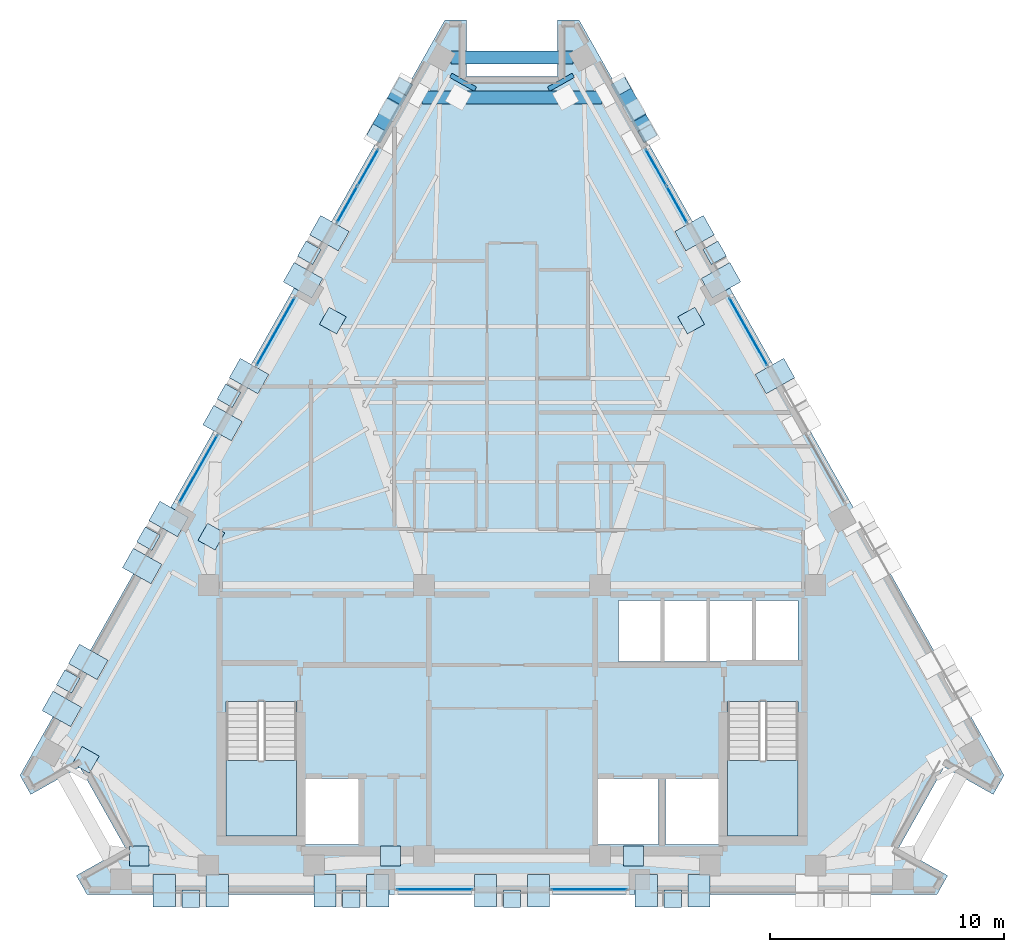
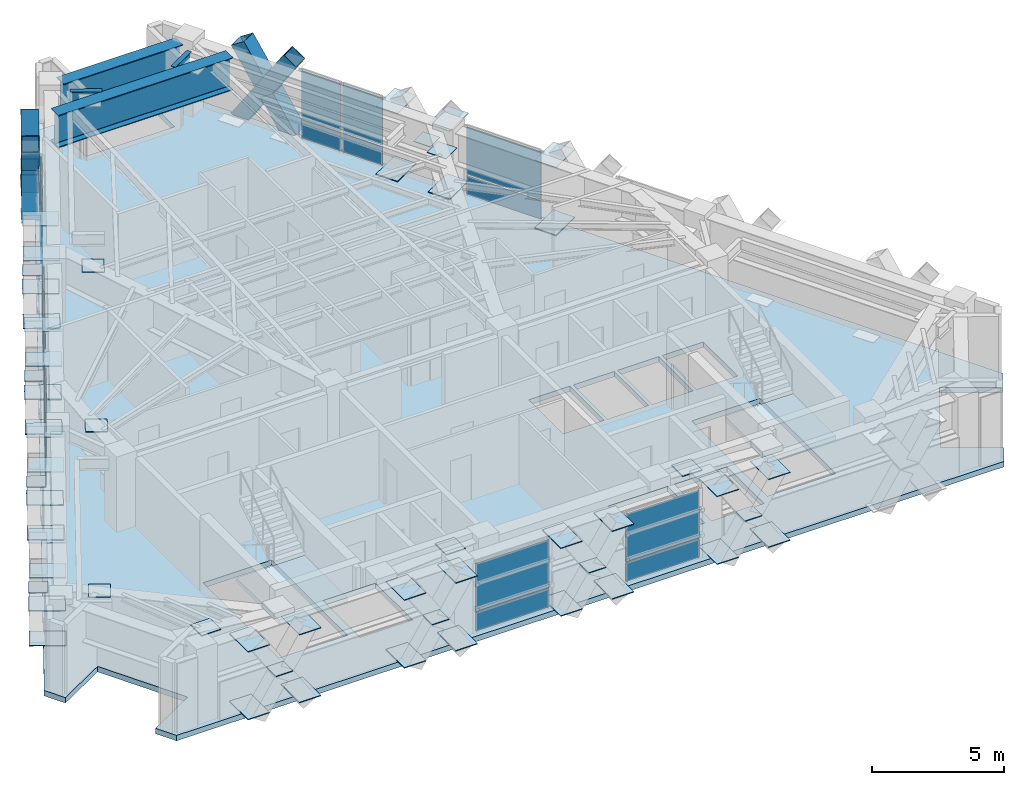
# One storey, part 6 of 13: 72 plates, 6 members, 4 beams, 3 slabs, 9 elements without a shape of their own.
"""IFC4 building model written with IfcOpenShell, lengths in metres."""

from ifc_helpers import new_model, si_unit, direction, frame, origin, origin_2d, place, context, subcontext, project, spatial, polyline, rectangle, hollow_rectangle, i_section, outline, extrude, material, layer, layer_set, material_profile, profile_set, type_object, element, aggregate, save


model = new_model("IFC4")

# Units and contexts
model_context = context("Model", 3, precision=1e-05, world=origin(), true_north=direction((0.0, 1.0)))
body_context = subcontext(model_context, "Body", "Model", "MODEL_VIEW")
ifc_project = project(units=[si_unit("LENGTHUNIT", "METRE"), si_unit("AREAUNIT", "SQUARE_METRE"), si_unit("VOLUMEUNIT", "CUBIC_METRE"), si_unit("PLANEANGLEUNIT", "RADIAN"), si_unit("MASSUNIT", "GRAM", prefix="KILO")], contexts=[model_context])

# Site, building, storey
site_placement = place(None, origin())
site = spatial("IfcSite", under=ifc_project, at=site_placement, CompositionType="ELEMENT")
building_placement = place(site_placement, origin())
building = spatial("IfcBuilding", under=site, at=building_placement, Name="Quenlor Broadcast Tower", CompositionType="ELEMENT")
storey_placement = place(building_placement, frame((0.0, 0.0, 225.39990234375)))
storey = spatial("IfcBuildingStorey", under=building, at=storey_placement, Name="L62", CompositionType="ELEMENT", Elevation=225.39990234375)

# Members
ifc_material_1 = material(Name="Steel S355", Category="steel")
ifc_material_profile_1 = material_profile(ifc_material_1, hollow_rectangle(XDim=0.679931640625, YDim=0.679931640625, WallThickness=0.02490234375, at=origin_2d()))
ifc_profile_set_1 = profile_set([ifc_material_profile_1], Name="Steel S355 RHS680x680x25")
member_type = type_object("IfcMemberType", Name="Perimeter Diagonal Lattice Brace Z3-Z4 Steel S355 RHS680x25", PredefinedType="BRACE", material=ifc_profile_set_1)
member_1_placement = place(storey_placement, frame((4.650390625, 16.4794921875, -0.119873046875), z_axis=(0.269493020061, -0.479144022478, 0.835340959047), x_axis=(0.871595351467, 0.490226012469, 0.0)))
element("IfcMember", 1, at=member_1_placement, inside=storey, type_object=member_type, Name="L62 Perimeter Diamond Lattice NE-C1XA", PredefinedType="BRACE", context=body_context, shape_type="SweptSolid", body=[
    extrude(hollow_rectangle(XDim=0.679931640625, YDim=0.679931640625, WallThickness=0.02490234375, at=origin_2d()), origin(), (0.0, 0.0, 1.0), 4.18994140625),
])
for number, where, z_axis, x_axis, name in (
    (2, (5.779541015625, 14.471923828125, -0.119873046875), (-0.269535527865, 0.479130165145, 0.835335192642), (-0.871556252289, -0.490295522207, 0.0), "L62 Perimeter Diamond Lattice NE-C1XB1"),
    (3, (5.147705078125, 15.595458984375, 1.8388671875), (-0.269535527865, 0.479130165145, 0.835335192642), (-0.871556252289, -0.490295522207, 0.0), "L62 Perimeter Diamond Lattice NE-C1XB2"),
):
    element("IfcMember", number, at=place(storey_placement, frame(where, z_axis=z_axis, x_axis=x_axis)), inside=storey, type_object=member_type, Name=name, PredefinedType="BRACE", context=body_context, shape_type="SweptSolid", body=[
        extrude(hollow_rectangle(XDim=0.679931640625, YDim=0.679931640625, WallThickness=0.02490234375, at=origin_2d()), origin(), (0.0, 0.0, 1.0), 1.844970703125),
    ])
member_2_placement = place(storey_placement, frame((-5.779541015625, 14.471923828125, -0.119873046875), z_axis=(0.269493020061, 0.479144022478, 0.835340959047), x_axis=(-0.871595351467, 0.490226012469, 0.0)))
element("IfcMember", 4, at=member_2_placement, inside=storey, type_object=member_type, Name="L62 Perimeter Diamond Lattice NW-C5XA", PredefinedType="BRACE", context=body_context, shape_type="SweptSolid", body=[
    extrude(hollow_rectangle(XDim=0.679931640625, YDim=0.679931640625, WallThickness=0.02490234375, at=origin_2d()), origin(), (0.0, 0.0, 1.0), 4.18994140625),
])
for number, where, z_axis, x_axis, name in (
    (5, (-4.650390625, 16.4794921875, -0.119873046875), (-0.269535527865, -0.479130165145, 0.835335192642), (0.871556252289, -0.490295522207, 0.0), "L62 Perimeter Diamond Lattice NW-C5XB1"),
    (6, (-5.2822265625, 15.35595703125, 1.8388671875), (-0.269535527865, -0.479130165145, 0.835335192642), (0.871556252289, -0.490295522207, 0.0), "L62 Perimeter Diamond Lattice NW-C5XB2"),
):
    element("IfcMember", number, at=place(storey_placement, frame(where, z_axis=z_axis, x_axis=x_axis)), inside=storey, type_object=member_type, Name=name, PredefinedType="BRACE", context=body_context, shape_type="SweptSolid", body=[
        extrude(hollow_rectangle(XDim=0.679931640625, YDim=0.679931640625, WallThickness=0.02490234375, at=origin_2d()), origin(), (0.0, 0.0, 1.0), 1.844970703125),
    ])

# Beams
ifc_material_2 = material(Name="Steel S355", Category="steel")
ifc_material_profile_2 = material_profile(ifc_material_2, i_section(OverallWidth=0.208984375, OverallDepth=0.532958984375, WebThickness=0.01025390625, FlangeThickness=0.015625, FilletRadius=0.013916015625, at=origin_2d()))
ifc_profile_set_2 = profile_set([ifc_material_profile_2], Name="Steel S355 530UB92.4")
beam_type_1 = type_object("IfcBeamType", Name="Perimeter Spandrel Beam Z1 Steel S355 530UB92.4", PredefinedType="SPANDREL", material=ifc_profile_set_2)
for number, where, z_axis, x_axis, name in (
    (7, (1.560302734375, 16.3623046875, 2.983642578125), (0.871661741425, 0.490107956001, 0.0), (-0.490107956001, 0.871661741425, 0.0), "L62 Lattice Sill Radial Tie NEA1"),
    (8, (-1.560302734375, 16.3623046875, 2.983642578125), (-0.871661741425, 0.490107956001, 0.0), (-0.490107956001, -0.871661741425, 0.0), "L62 Lattice Sill Radial Tie NWB2"),
):
    element("IfcBeam", number, at=place(storey_placement, frame(where, z_axis=z_axis, x_axis=x_axis)), inside=storey, type_object=beam_type_1, Name=name, PredefinedType="SPANDREL", context=body_context, shape_type="SweptSolid", body=[
        extrude(i_section(OverallWidth=0.208984375, OverallDepth=0.532958984375, WebThickness=0.01025390625, FlangeThickness=0.015625, FilletRadius=0.013916015625, at=origin_2d()), origin(), (0.0, 0.0, 1.0), 1.2099609375),
    ])
ifc_material_3 = material(Name="Steel S355", Category="steel")
ifc_material_profile_3 = material_profile(ifc_material_3, i_section(OverallWidth=0.550048828125, OverallDepth=1.5, WebThickness=0.02197265625, FlangeThickness=0.034912109375, FilletRadius=0.01806640625, at=origin_2d()))
ifc_profile_set_3 = profile_set([ifc_material_profile_3], Name="Steel S355 1500TG510")
beam_type_2 = type_object("IfcBeamType", Name="Zone Setback Transfer Girder Steel S355 1500", PredefinedType="BEAM", material=ifc_profile_set_3)
beam_1_placement = place(storey_placement, frame((2.610595703125, 17.704345703125, 2.5), z_axis=(-1.0, 0.0, 0.0), x_axis=(0.0, -1.0, 0.0)))
element("IfcBeam", 9, at=beam_1_placement, inside=storey, type_object=beam_type_2, Name="L62 Spandrel Beam NE4-NW1", PredefinedType="BEAM", context=body_context, shape_type="SweptSolid", body=[
    extrude(i_section(OverallWidth=0.550048828125, OverallDepth=1.5, WebThickness=0.02197265625, FlangeThickness=0.034912109375, FilletRadius=0.01806640625, at=origin_2d()), origin(), (0.0, 0.0, 1.0), 5.22119140625),
])
beam_2_placement = place(storey_placement, frame((-3.83203125, 16.012451171875, 2.5), z_axis=(1.0, 0.0, 0.0), x_axis=(0.0, 1.0, 0.0)))
element("IfcBeam", 10, at=beam_2_placement, inside=storey, type_object=beam_type_2, Name="L62 Apex Setback Transfer Girder", PredefinedType="BEAM", context=body_context, shape_type="SweptSolid", body=[
    extrude(i_section(OverallWidth=0.550048828125, OverallDepth=1.5, WebThickness=0.02197265625, FlangeThickness=0.034912109375, FilletRadius=0.01806640625, at=origin_2d()), origin(), (0.0, 0.0, 1.0), 7.6640625),
])

# Curtain wall, plates
ifc_material_4 = material(Name="Architectural Terracotta and Low-E Glazing", Category="masonry")
curtain_wall_type = type_object("IfcCurtainWallType", Name="Unitised Terracotta Curtain Wall System Z4", PredefinedType="NOTDEFINED", material=ifc_material_4)
curtain_wall_1_placement = place(storey_placement, origin())
curtain_wall_1 = element("IfcCurtainWall", 11, at=curtain_wall_1_placement, inside=storey, type_object=curtain_wall_type, Name="L62 Curtain Wall CW4 (L62-S-G1)", PredefinedType="NOTDEFINED")
ifc_material_5 = material(Name="Double Glazed Low-E Solar Glass", Category="glass")
ifc_layer_1 = layer(ifc_material_5, 0.028076171875)
ifc_layer_set_1 = layer_set([ifc_layer_1], Name="CW4 Double Glazed Vision Panel 28")
plate_type_1 = type_object("IfcPlateType", Name="CW4 Double Glazed Vision Panel 28", PredefinedType="CURTAIN_PANEL", material=ifc_layer_set_1)
plate_1_placement = place(storey_placement, frame((3.29443359375, -17.77490234375, 0.068359375), z_axis=(0.0, 0.0, 1.0), x_axis=(-1.0, 0.0, 0.0)))
plate_1 = element("IfcPlate", 12, at=plate_1_placement, type_object=plate_type_1, Name="CW4 panel 1.1", PredefinedType="CURTAIN_PANEL", context=body_context, shape_type="SweptSolid", body=[
    extrude(rectangle(XDim=3.210693359375, YDim=0.028076171875, at=origin_2d()), origin(), (0.0, 0.0, 1.0), 0.847900390625),
])
plate_2_placement = place(storey_placement, frame((3.29443359375, -17.77490234375, 0.98388671875), z_axis=(0.0, 0.0, 1.0), x_axis=(-1.0, 0.0, 0.0)))
plate_2 = element("IfcPlate", 13, at=plate_2_placement, type_object=plate_type_1, Name="CW4 panel 1.2", PredefinedType="CURTAIN_PANEL", context=body_context, shape_type="SweptSolid", body=[
    extrude(rectangle(XDim=3.210693359375, YDim=0.028076171875, at=origin_2d()), origin(), (0.0, 0.0, 1.0), 2.197998046875),
])
aggregate(curtain_wall_1, [plate_1, plate_2])

curtain_wall_2_placement = place(storey_placement, origin())
curtain_wall_2 = element("IfcCurtainWall", 14, at=curtain_wall_2_placement, inside=storey, type_object=curtain_wall_type, Name="L62 Curtain Wall CW4 (L62-S-G2)", PredefinedType="NOTDEFINED")
plate_3_placement = place(storey_placement, frame((-3.29443359375, -17.77490234375, 0.068359375), z_axis=(0.0, 0.0, 1.0), x_axis=(-1.0, 0.0, 0.0)))
plate_3 = element("IfcPlate", 15, at=plate_3_placement, type_object=plate_type_1, Name="CW4 panel 1.1", PredefinedType="CURTAIN_PANEL", context=body_context, shape_type="SweptSolid", body=[
    extrude(rectangle(XDim=3.210693359375, YDim=0.028076171875, at=origin_2d()), origin(), (0.0, 0.0, 1.0), 0.847900390625),
])
plate_4_placement = place(storey_placement, frame((-3.29443359375, -17.77490234375, 0.98388671875), z_axis=(0.0, 0.0, 1.0), x_axis=(-1.0, 0.0, 0.0)))
plate_4 = element("IfcPlate", 16, at=plate_4_placement, type_object=plate_type_1, Name="CW4 panel 1.2", PredefinedType="CURTAIN_PANEL", context=body_context, shape_type="SweptSolid", body=[
    extrude(rectangle(XDim=3.210693359375, YDim=0.028076171875, at=origin_2d()), origin(), (0.0, 0.0, 1.0), 2.197998046875),
])
aggregate(curtain_wall_2, [plate_3, plate_4])

curtain_wall_3_placement = place(storey_placement, origin())
curtain_wall_3 = element("IfcCurtainWall", 17, at=curtain_wall_3_placement, inside=storey, type_object=curtain_wall_type, Name="L62 Curtain Wall CW4 (L62-NEA-G1)", PredefinedType="NOTDEFINED")
plate_5_placement = place(storey_placement, frame((6.13916015625, 13.02685546875, 0.068359375), z_axis=(0.0, 0.0, 1.0), x_axis=(0.490259959025, -0.871576257465, 0.0)))
plate_5 = element("IfcPlate", 18, at=plate_5_placement, type_object=plate_type_1, Name="CW4 panel 1.1", PredefinedType="CURTAIN_PANEL", context=body_context, shape_type="SweptSolid", body=[
    extrude(rectangle(XDim=1.751708984375, YDim=0.028076171875, at=origin_2d()), origin(), (0.0, 0.0, 1.0), 0.847900390625),
])
plate_6_placement = place(storey_placement, frame((6.13916015625, 13.02685546875, 0.98388671875), z_axis=(0.0, 0.0, 1.0), x_axis=(0.490259959025, -0.871576257465, 0.0)))
plate_6 = element("IfcPlate", 19, at=plate_6_placement, type_object=plate_type_1, Name="CW4 panel 1.2", PredefinedType="CURTAIN_PANEL", context=body_context, shape_type="SweptSolid", body=[
    extrude(rectangle(XDim=1.751708984375, YDim=0.028076171875, at=origin_2d()), origin(), (0.0, 0.0, 1.0), 2.197998046875),
])
plate_7_placement = place(storey_placement, frame((7.03125, 11.44091796875, 0.068359375), z_axis=(0.0, 0.0, 1.0), x_axis=(0.490259959025, -0.871576257465, 0.0)))
plate_7 = element("IfcPlate", 20, at=plate_7_placement, type_object=plate_type_1, Name="CW4 panel 2.1", PredefinedType="CURTAIN_PANEL", context=body_context, shape_type="SweptSolid", body=[
    extrude(rectangle(XDim=1.751708984375, YDim=0.028076171875, at=origin_2d()), origin(), (0.0, 0.0, 1.0), 0.847900390625),
])
plate_8_placement = place(storey_placement, frame((7.03125, 11.44091796875, 0.98388671875), z_axis=(0.0, 0.0, 1.0), x_axis=(0.490259959025, -0.871576257465, 0.0)))
plate_8 = element("IfcPlate", 21, at=plate_8_placement, type_object=plate_type_1, Name="CW4 panel 2.2", PredefinedType="CURTAIN_PANEL", context=body_context, shape_type="SweptSolid", body=[
    extrude(rectangle(XDim=1.751708984375, YDim=0.028076171875, at=origin_2d()), origin(), (0.0, 0.0, 1.0), 2.197998046875),
])
aggregate(curtain_wall_3, [plate_5, plate_6, plate_7, plate_8])

curtain_wall_4_placement = place(storey_placement, origin())
curtain_wall_4 = element("IfcCurtainWall", 22, at=curtain_wall_4_placement, inside=storey, type_object=curtain_wall_type, Name="L62 Curtain Wall CW4 (L62-NE-G1)", PredefinedType="NOTDEFINED")
plate_9_placement = place(storey_placement, frame((10.081787109375, 6.01806640625, 0.068359375), z_axis=(0.0, 0.0, 1.0), x_axis=(0.490257089819, -0.871577871382, 0.0)))
plate_9 = element("IfcPlate", 23, at=plate_9_placement, type_object=plate_type_1, Name="CW4 panel 1.1", PredefinedType="CURTAIN_PANEL", context=body_context, shape_type="SweptSolid", body=[
    extrude(rectangle(XDim=3.29638671875, YDim=0.028076171875, at=origin_2d()), origin(), (0.0, 0.0, 1.0), 0.847900390625),
])
plate_10_placement = place(storey_placement, frame((10.081787109375, 6.01806640625, 0.98388671875), z_axis=(0.0, 0.0, 1.0), x_axis=(0.490257089819, -0.871577871382, 0.0)))
plate_10 = element("IfcPlate", 24, at=plate_10_placement, type_object=plate_type_1, Name="CW4 panel 1.2", PredefinedType="CURTAIN_PANEL", context=body_context, shape_type="SweptSolid", body=[
    extrude(rectangle(XDim=3.29638671875, YDim=0.028076171875, at=origin_2d()), origin(), (0.0, 0.0, 1.0), 2.197998046875),
])
aggregate(curtain_wall_4, [plate_9, plate_10])

curtain_wall_5_placement = place(storey_placement, origin())
curtain_wall_5 = element("IfcCurtainWall", 25, at=curtain_wall_5_placement, inside=storey, type_object=curtain_wall_type, Name="L62 Curtain Wall CW4 (L62-NWC-G1)", PredefinedType="NOTDEFINED")
plate_11_placement = place(storey_placement, frame((-7.03125, 11.44091796875, 0.068359375), z_axis=(0.0, 0.0, 1.0), x_axis=(0.490259959025, 0.871576257465, 0.0)))
plate_11 = element("IfcPlate", 26, at=plate_11_placement, type_object=plate_type_1, Name="CW4 panel 1.1", PredefinedType="CURTAIN_PANEL", context=body_context, shape_type="SweptSolid", body=[
    extrude(rectangle(XDim=1.751708984375, YDim=0.028076171875, at=origin_2d()), origin(), (0.0, 0.0, 1.0), 0.847900390625),
])
plate_12_placement = place(storey_placement, frame((-7.03125, 11.44091796875, 0.98388671875), z_axis=(0.0, 0.0, 1.0), x_axis=(0.490259959025, 0.871576257465, 0.0)))
plate_12 = element("IfcPlate", 27, at=plate_12_placement, type_object=plate_type_1, Name="CW4 panel 1.2", PredefinedType="CURTAIN_PANEL", context=body_context, shape_type="SweptSolid", body=[
    extrude(rectangle(XDim=1.751708984375, YDim=0.028076171875, at=origin_2d()), origin(), (0.0, 0.0, 1.0), 2.197998046875),
])
plate_13_placement = place(storey_placement, frame((-6.13916015625, 13.02685546875, 0.068359375), z_axis=(0.0, 0.0, 1.0), x_axis=(0.490259959025, 0.871576257465, 0.0)))
plate_13 = element("IfcPlate", 28, at=plate_13_placement, type_object=plate_type_1, Name="CW4 panel 2.1", PredefinedType="CURTAIN_PANEL", context=body_context, shape_type="SweptSolid", body=[
    extrude(rectangle(XDim=1.751708984375, YDim=0.028076171875, at=origin_2d()), origin(), (0.0, 0.0, 1.0), 0.847900390625),
])
plate_14_placement = place(storey_placement, frame((-6.13916015625, 13.02685546875, 0.98388671875), z_axis=(0.0, 0.0, 1.0), x_axis=(0.490259959025, 0.871576257465, 0.0)))
plate_14 = element("IfcPlate", 29, at=plate_14_placement, type_object=plate_type_1, Name="CW4 panel 2.2", PredefinedType="CURTAIN_PANEL", context=body_context, shape_type="SweptSolid", body=[
    extrude(rectangle(XDim=1.751708984375, YDim=0.028076171875, at=origin_2d()), origin(), (0.0, 0.0, 1.0), 2.197998046875),
])
aggregate(curtain_wall_5, [plate_11, plate_12, plate_13, plate_14])

curtain_wall_6_placement = place(storey_placement, origin())
curtain_wall_6 = element("IfcCurtainWall", 30, at=curtain_wall_6_placement, inside=storey, type_object=curtain_wall_type, Name="L62 Curtain Wall CW4 (L62-NW-G1)", PredefinedType="NOTDEFINED")
plate_15_placement = place(storey_placement, frame((-13.3759765625, 0.161376953125, 0.068359375), z_axis=(0.0, 0.0, 1.0), x_axis=(0.490257089819, 0.871577871382, 0.0)))
plate_15 = element("IfcPlate", 31, at=plate_15_placement, type_object=plate_type_1, Name="CW4 panel 1.1", PredefinedType="CURTAIN_PANEL", context=body_context, shape_type="SweptSolid", body=[
    extrude(rectangle(XDim=3.29638671875, YDim=0.028076171875, at=origin_2d()), origin(), (0.0, 0.0, 1.0), 0.847900390625),
])
plate_16_placement = place(storey_placement, frame((-13.3759765625, 0.161376953125, 0.98388671875), z_axis=(0.0, 0.0, 1.0), x_axis=(0.490257089819, 0.871577871382, 0.0)))
plate_16 = element("IfcPlate", 32, at=plate_16_placement, type_object=plate_type_1, Name="CW4 panel 1.2", PredefinedType="CURTAIN_PANEL", context=body_context, shape_type="SweptSolid", body=[
    extrude(rectangle(XDim=3.29638671875, YDim=0.028076171875, at=origin_2d()), origin(), (0.0, 0.0, 1.0), 2.197998046875),
])
aggregate(curtain_wall_6, [plate_15, plate_16])

curtain_wall_7_placement = place(storey_placement, origin())
curtain_wall_7 = element("IfcCurtainWall", 33, at=curtain_wall_7_placement, inside=storey, type_object=curtain_wall_type, Name="L62 Curtain Wall CW4 (L62-NW-G2)", PredefinedType="NOTDEFINED")
plate_17_placement = place(storey_placement, frame((-10.081787109375, 6.01806640625, 0.068359375), z_axis=(0.0, 0.0, 1.0), x_axis=(0.490257089819, 0.871577871382, 0.0)))
plate_17 = element("IfcPlate", 34, at=plate_17_placement, type_object=plate_type_1, Name="CW4 panel 1.1", PredefinedType="CURTAIN_PANEL", context=body_context, shape_type="SweptSolid", body=[
    extrude(rectangle(XDim=3.29638671875, YDim=0.028076171875, at=origin_2d()), origin(), (0.0, 0.0, 1.0), 0.847900390625),
])
plate_18_placement = place(storey_placement, frame((-10.081787109375, 6.01806640625, 0.98388671875), z_axis=(0.0, 0.0, 1.0), x_axis=(0.490257089819, 0.871577871382, 0.0)))
plate_18 = element("IfcPlate", 35, at=plate_18_placement, type_object=plate_type_1, Name="CW4 panel 1.2", PredefinedType="CURTAIN_PANEL", context=body_context, shape_type="SweptSolid", body=[
    extrude(rectangle(XDim=3.29638671875, YDim=0.028076171875, at=origin_2d()), origin(), (0.0, 0.0, 1.0), 2.197998046875),
])
aggregate(curtain_wall_7, [plate_17, plate_18])

# Plates
ifc_material_6 = material(Name="Steel S355", Category="steel")
ifc_layer_2 = layer(ifc_material_6, 0.028076171875)
ifc_layer_set_2 = layer_set([ifc_layer_2], Name="Perimeter Lattice Node Steel S355 Cap Plate 740x740x28")
plate_type_2 = type_object("IfcPlateType", Name="Perimeter Lattice Node Steel S355 Cap Plate 740x740x28", PredefinedType="USERDEFINED", material=ifc_layer_set_2)
for number, where, z_axis, x_axis, name in (
    (36, (6.850341796875, -18.169921875, 1.6162109375), (0.0, 0.0, 1.0), (-1.0, 0.0, 0.0), "L62 Diamond Lattice Crossing Node S-C2"),
    (37, (0.0, -18.169921875, 1.6162109375), (0.0, 0.0, 1.0), (-1.0, 0.0, 0.0), "L62 Diamond Lattice Crossing Node S-C3"),
    (38, (-6.850341796875, -18.169921875, 1.6162109375), (0.0, 0.0, 1.0), (-1.0, 0.0, 0.0), "L62 Diamond Lattice Crossing Node S-C4"),
    (39, (-13.70068359375, -18.169921875, 1.6162109375), (0.0, 0.0, 1.0), (-1.0, 0.0, 0.0), "L62 Diamond Lattice Crossing Node S-C5"),
    (40, (8.64404296875, 9.379638671875, 1.6162109375), (0.0, 0.0, 1.0), (0.490295412055, -0.871556314255, 0.0), "L62 Diamond Lattice Crossing Node NE-C2"),
    (41, (-18.931396484375, -8.908935546875, 1.6162109375), (0.0, 0.0, 1.0), (0.490295412055, 0.871556314255, 0.0), "L62 Diamond Lattice Crossing Node NW-C1"),
    (42, (-15.502197265625, -2.81298828125, 1.6162109375), (0.0, 0.0, 1.0), (0.490295412055, 0.871556314255, 0.0), "L62 Diamond Lattice Crossing Node NW-C2"),
    (43, (-12.0732421875, 3.283447265625, 1.6162109375), (0.0, 0.0, 1.0), (0.490295412055, 0.871556314255, 0.0), "L62 Diamond Lattice Crossing Node NW-C3"),
    (44, (-8.64404296875, 9.379638671875, 1.6162109375), (0.0, 0.0, 1.0), (0.490295412055, 0.871556314255, 0.0), "L62 Diamond Lattice Crossing Node NW-C4"),
):
    element("IfcPlate", number, at=place(storey_placement, frame(where, z_axis=z_axis, x_axis=x_axis)), inside=storey, type_object=plate_type_2, Name=name, ObjectType="CAP PLATE", PredefinedType="USERDEFINED", context=body_context, shape_type="SweptSolid", body=[
        extrude(rectangle(XDim=0.739990234375, YDim=0.739990234375, at=origin_2d()), origin(), (0.0, 0.0, 1.0), 0.028076171875),
    ])

# Stair, slab
ifc_material_7 = material(Name="Precast concrete C40/50", Category="concrete")
stair_type = type_object("IfcStairType", Name="Precast Concrete C40/50 Dogleg Stair H350", PredefinedType="HALF_TURN_STAIR", material=ifc_material_7)
stair_1_placement = place(storey_placement, origin())
stair_1 = element("IfcStair", 45, at=stair_1_placement, inside=storey, type_object=stair_type, Name="L62 West Core Fire-Isolated Exit Stair ST-1", PredefinedType="HALF_TURN_STAIR")
ifc_material_8 = material(Name="Precast concrete C40/50", Category="concrete")
ifc_layer_3 = layer(ifc_material_8, 0.199951171875)
ifc_layer_set_3 = layer_set([ifc_layer_3], Name="Precast Concrete C40/50 Stair Landing Slab 200")
slab_type_1 = type_object("IfcSlabType", Name="Precast Concrete C40/50 Stair Landing Slab 200", PredefinedType="LANDING", material=ifc_layer_set_3)
slab_1_placement = place(storey_placement, frame((0.0, 0.0, 1.550048828125)))
slab_1 = element("IfcSlab", 46, at=slab_1_placement, type_object=slab_type_1, Name="ST-1 landing 1", PredefinedType="LANDING", context=body_context, shape_type="SweptSolid", body=[
    extrude(outline(polyline([(-12.199951171875, -12.27001953125), (-12.199951171875, -15.5), (-9.199951171875, -15.5), (-9.199951171875, -12.27001953125), (-12.199951171875, -12.27001953125)])), origin(), (0.0, 0.0, 1.0), 0.199951171875),
])
aggregate(stair_1, [slab_1])

stair_2_placement = place(storey_placement, origin())
stair_2 = element("IfcStair", 47, at=stair_2_placement, inside=storey, type_object=stair_type, Name="L62 East Core Fire-Isolated Exit Stair ST-2", PredefinedType="HALF_TURN_STAIR")
slab_2_placement = place(storey_placement, frame((0.0, 0.0, 1.550048828125)))
slab_2 = element("IfcSlab", 48, at=slab_2_placement, type_object=slab_type_1, Name="ST-2 landing 1", PredefinedType="LANDING", context=body_context, shape_type="SweptSolid", body=[
    extrude(outline(polyline([(9.199951171875, -12.27001953125), (9.199951171875, -15.5), (12.199951171875, -15.5), (12.199951171875, -12.27001953125), (9.199951171875, -12.27001953125)])), origin(), (0.0, 0.0, 1.0), 0.199951171875),
])
aggregate(stair_2, [slab_2])

# Slab
ifc_material_9 = material(Name="Concrete C40/50", Category="concrete")
ifc_layer_4 = layer(ifc_material_9, 0.25)
ifc_layer_set_4 = layer_set([ifc_layer_4], Name="Tower Composite Concrete C40/50 Slab 250")
slab_type_2 = type_object("IfcSlabType", Name="Tower Composite Concrete C40/50 Slab 250", PredefinedType="FLOOR", material=ifc_layer_set_4)
slab_3_placement = place(storey_placement, frame((0.0, 0.0, -0.25)))
element("IfcSlab", 49, at=slab_3_placement, inside=storey, type_object=slab_type_2, Name="L62 Structural Floor Slab", PredefinedType="FLOOR", context=body_context, shape_type="SweptSolid", body=[
    extrude(outline(polyline([(18.1259765625, -18.0), (18.583984375, -17.185791015625), (16.4921875, -16.00927734375), (18.438232421875, -12.549560546875), (20.530029296875, -13.72607421875), (20.988037109375, -12.912109375), (2.862060546875, 19.31201171875), (1.9462890625, 19.31201171875), (1.9462890625, 16.912109375), (-1.9462890625, 16.912109375), (-1.9462890625, 19.31201171875), (-2.862060546875, 19.31201171875), (-20.988037109375, -12.912109375), (-20.530029296875, -13.72607421875), (-18.438232421875, -12.549560546875), (-16.4921875, -16.00927734375), (-18.583984375, -17.185791015625), (-18.1259765625, -18.0), (18.1259765625, -18.0)]), holes=[polyline([(-12.199951171875, -9.758056640625), (-12.199951171875, -15.5), (-9.199951171875, -15.5), (-9.199951171875, -9.758056640625), (-12.199951171875, -9.758056640625)]), polyline([(9.199951171875, -9.758056640625), (9.199951171875, -15.5), (12.199951171875, -15.5), (12.199951171875, -9.758056640625), (9.199951171875, -9.758056640625)]), polyline([(4.550048828125, -8.050048828125), (6.35009765625, -8.050048828125), (6.35009765625, -5.449951171875), (4.550048828125, -5.449951171875), (4.550048828125, -8.050048828125)]), polyline([(6.5, -8.050048828125), (8.300048828125, -8.050048828125), (8.300048828125, -5.449951171875), (6.5, -5.449951171875), (6.5, -8.050048828125)]), polyline([(8.449951171875, -8.050048828125), (10.25, -8.050048828125), (10.25, -5.449951171875), (8.449951171875, -5.449951171875), (8.449951171875, -8.050048828125)]), polyline([(10.39990234375, -8.050048828125), (12.199951171875, -8.050048828125), (12.199951171875, -5.449951171875), (10.39990234375, -5.449951171875), (10.39990234375, -8.050048828125)]), polyline([(-8.85009765625, -15.85009765625), (-6.550048828125, -15.85009765625), (-6.550048828125, -13.050048828125), (-8.85009765625, -13.050048828125), (-8.85009765625, -15.85009765625)]), polyline([(6.550048828125, -15.85009765625), (8.85009765625, -15.85009765625), (8.85009765625, -13.050048828125), (6.550048828125, -13.050048828125), (6.550048828125, -15.85009765625)]), polyline([(3.64990234375, -15.85009765625), (6.25, -15.85009765625), (6.25, -13.050048828125), (3.64990234375, -13.050048828125), (3.64990234375, -15.85009765625)])]), origin(), (0.0, 0.0, 1.0), 0.25),
])

# Plates
ifc_material_10 = material(Name="Steel S355", Category="steel")
ifc_layer_5 = layer(ifc_material_10, 0.035888671875)
ifc_layer_set_5 = layer_set([ifc_layer_5], Name="Transfer Truss Steel S355 Gusset Node Plate 1400x950x36")
plate_type_3 = type_object("IfcPlateType", Name="Transfer Truss Steel S355 Gusset Node Plate 1400x950x36", PredefinedType="SHEET", material=ifc_layer_set_5)
for number, where, z_axis, x_axis, name in (
    (50, (7.978515625, -17.8349609375, 0.0419921875), (0.0, 0.0, 1.0), (0.0, -1.0, 0.0), "L62 Lattice Tie Gusset Node S-B4"),
    (51, (5.722412109375, -17.8349609375, 3.18212890625), (0.0, 0.0, 1.0), (0.0, -1.0, 0.0), "L62 Lattice Tie Gusset Node S-T5"),
    (52, (5.722412109375, -17.8349609375, 0.0419921875), (0.0, 0.0, 1.0), (0.0, -1.0, 0.0), "L62 Lattice Tie Gusset Node S-B5"),
    (53, (7.978515625, -17.8349609375, 3.18212890625), (0.0, 0.0, 1.0), (0.0, -1.0, 0.0), "L62 Lattice Tie Gusset Node S-T4"),
    (54, (1.1279296875, -17.8349609375, 0.0419921875), (0.0, 0.0, 1.0), (0.0, -1.0, 0.0), "L62 Lattice Tie Gusset Node S-B7"),
    (55, (-1.1279296875, -17.8349609375, 3.18212890625), (0.0, 0.0, 1.0), (0.0, -1.0, 0.0), "L62 Lattice Tie Gusset Node S-T8"),
    (56, (-1.1279296875, -17.8349609375, 0.0419921875), (0.0, 0.0, 1.0), (0.0, -1.0, 0.0), "L62 Lattice Tie Gusset Node S-B8"),
    (57, (1.1279296875, -17.8349609375, 3.18212890625), (0.0, 0.0, 1.0), (0.0, -1.0, 0.0), "L62 Lattice Tie Gusset Node S-T7"),
    (58, (-5.722412109375, -17.8349609375, 0.0419921875), (0.0, 0.0, 1.0), (0.0, -1.0, 0.0), "L62 Lattice Tie Gusset Node S-B10"),
    (59, (-7.978515625, -17.8349609375, 3.18212890625), (0.0, 0.0, 1.0), (0.0, -1.0, 0.0), "L62 Lattice Tie Gusset Node S-T11"),
    (60, (-7.978515625, -17.8349609375, 0.0419921875), (0.0, 0.0, 1.0), (0.0, -1.0, 0.0), "L62 Lattice Tie Gusset Node S-B11"),
    (61, (-5.722412109375, -17.8349609375, 3.18212890625), (0.0, 0.0, 1.0), (0.0, -1.0, 0.0), "L62 Lattice Tie Gusset Node S-T10"),
    (62, (-12.57275390625, -17.8349609375, 0.0419921875), (0.0, 0.0, 1.0), (0.0, -1.0, 0.0), "L62 Lattice Tie Gusset Node S-B13"),
    (63, (-14.828857421875, -17.8349609375, 3.18212890625), (0.0, 0.0, 1.0), (0.0, -1.0, 0.0), "L62 Lattice Tie Gusset Node S-T14"),
    (64, (-14.828857421875, -17.8349609375, 0.0419921875), (0.0, 0.0, 1.0), (0.0, -1.0, 0.0), "L62 Lattice Tie Gusset Node S-B14"),
    (65, (-12.57275390625, -17.8349609375, 3.18212890625), (0.0, 0.0, 1.0), (0.0, -1.0, 0.0), "L62 Lattice Tie Gusset Node S-T13"),
    (66, (7.787353515625, 10.218994140625, 0.0419921875), (0.0, 0.0, 1.0), (0.871556314255, 0.490295412055, 0.0), "L62 Lattice Tie Gusset Node NE-B4"),
    (67, (8.916748046875, 8.21142578125, 3.18212890625), (0.0, 0.0, 1.0), (0.871556314255, 0.490295412055, 0.0), "L62 Lattice Tie Gusset Node NE-T5"),
    (68, (8.916748046875, 8.21142578125, 0.0419921875), (0.0, 0.0, 1.0), (0.871556314255, 0.490295412055, 0.0), "L62 Lattice Tie Gusset Node NE-B5"),
    (69, (7.787353515625, 10.218994140625, 3.18212890625), (0.0, 0.0, 1.0), (0.871556314255, 0.490295412055, 0.0), "L62 Lattice Tie Gusset Node NE-T4"),
    (70, (11.216552734375, 4.123046875, 0.0419921875), (0.0, 0.0, 1.0), (0.871556314255, 0.490295412055, 0.0), "L62 Lattice Tie Gusset Node NE-B7"),
    (71, (11.216552734375, 4.123046875, 3.18212890625), (0.0, 0.0, 1.0), (0.871556314255, 0.490295412055, 0.0), "L62 Lattice Tie Gusset Node NE-T7"),
    (72, (-19.2041015625, -10.0771484375, 0.0419921875), (0.0, 0.0, 1.0), (-0.871556314255, 0.490295412055, 0.0), "L62 Lattice Tie Gusset Node NW-B1"),
    (73, (-18.07470703125, -8.0693359375, 3.18212890625), (0.0, 0.0, 1.0), (-0.871556314255, 0.490295412055, 0.0), "L62 Lattice Tie Gusset Node NW-T2"),
    (74, (-18.07470703125, -8.0693359375, 0.0419921875), (0.0, 0.0, 1.0), (-0.871556314255, 0.490295412055, 0.0), "L62 Lattice Tie Gusset Node NW-B2"),
    (75, (-19.2041015625, -10.0771484375, 3.18212890625), (0.0, 0.0, 1.0), (-0.871556314255, 0.490295412055, 0.0), "L62 Lattice Tie Gusset Node NW-T1"),
    (76, (-15.77490234375, -3.98095703125, 0.0419921875), (0.0, 0.0, 1.0), (-0.871556314255, 0.490295412055, 0.0), "L62 Lattice Tie Gusset Node NW-B4"),
    (77, (-14.6455078125, -1.97314453125, 3.18212890625), (0.0, 0.0, 1.0), (-0.871556314255, 0.490295412055, 0.0), "L62 Lattice Tie Gusset Node NW-T5"),
    (78, (-14.6455078125, -1.97314453125, 0.0419921875), (0.0, 0.0, 1.0), (-0.871556314255, 0.490295412055, 0.0), "L62 Lattice Tie Gusset Node NW-B5"),
    (79, (-15.77490234375, -3.98095703125, 3.18212890625), (0.0, 0.0, 1.0), (-0.871556314255, 0.490295412055, 0.0), "L62 Lattice Tie Gusset Node NW-T4"),
    (80, (-12.345947265625, 2.115234375, 0.0419921875), (0.0, 0.0, 1.0), (-0.871556314255, 0.490295412055, 0.0), "L62 Lattice Tie Gusset Node NW-B7"),
    (81, (-11.216552734375, 4.123046875, 3.18212890625), (0.0, 0.0, 1.0), (-0.871556314255, 0.490295412055, 0.0), "L62 Lattice Tie Gusset Node NW-T8"),
    (82, (-11.216552734375, 4.123046875, 0.0419921875), (0.0, 0.0, 1.0), (-0.871556314255, 0.490295412055, 0.0), "L62 Lattice Tie Gusset Node NW-B8"),
    (83, (-12.345947265625, 2.115234375, 3.18212890625), (0.0, 0.0, 1.0), (-0.871556314255, 0.490295412055, 0.0), "L62 Lattice Tie Gusset Node NW-T7"),
    (84, (-8.916748046875, 8.21142578125, 0.0419921875), (0.0, 0.0, 1.0), (-0.871556314255, 0.490295412055, 0.0), "L62 Lattice Tie Gusset Node NW-B10"),
    (85, (-7.787353515625, 10.218994140625, 3.18212890625), (0.0, 0.0, 1.0), (-0.871556314255, 0.490295412055, 0.0), "L62 Lattice Tie Gusset Node NW-T11"),
    (86, (-7.787353515625, 10.218994140625, 0.0419921875), (0.0, 0.0, 1.0), (-0.871556314255, 0.490295412055, 0.0), "L62 Lattice Tie Gusset Node NW-B11"),
    (87, (-8.916748046875, 8.21142578125, 3.18212890625), (0.0, 0.0, 1.0), (-0.871556314255, 0.490295412055, 0.0), "L62 Lattice Tie Gusset Node NW-T10"),
):
    element("IfcPlate", number, at=place(storey_placement, frame(where, z_axis=z_axis, x_axis=x_axis)), inside=storey, type_object=plate_type_3, Name=name, PredefinedType="SHEET", context=body_context, shape_type="SweptSolid", body=[
        extrude(rectangle(XDim=1.39990234375, YDim=0.949951171875, at=origin_2d()), origin(), (0.0, 0.0, 1.0), 0.035888671875),
    ])
ifc_material_11 = material(Name="Steel S355", Category="steel")
ifc_layer_6 = layer(ifc_material_11, 0.028076171875)
ifc_layer_set_6 = layer_set([ifc_layer_6], Name="Upper Zone Setback Steel S355 Kink Cap Plate 840x840x28")
plate_type_4 = type_object("IfcPlateType", Name="Upper Zone Setback Steel S355 Kink Cap Plate 840x840x28", PredefinedType="USERDEFINED", material=ifc_layer_set_6)
for number, where, z_axis, x_axis, name in (
    (88, (-15.897705078125, -16.35009765625, 3.22021484375), (0.0, 0.0, 1.0), (0.0, 1.0, 0.0), "L62 Setback Kink Plate S1"),
    (89, (-5.18408203125, -16.35009765625, 3.22021484375), (0.0, 0.0, 1.0), (0.0, 1.0, 0.0), "L62 Setback Kink Plate S2"),
    (90, (5.18408203125, -16.35009765625, 3.22021484375), (0.0, 0.0, 1.0), (0.0, 1.0, 0.0), "L62 Setback Kink Plate S3"),
    (91, (7.6416015625, 6.4892578125, 3.22021484375), (0.0, 0.0, 1.0), (0.871575139605, 0.490261946333, 0.0), "L62 Setback Kink Plate NE3"),
    (92, (-7.6416015625, 6.4892578125, 3.22021484375), (0.0, 0.0, 1.0), (-0.871575139605, 0.490261946333, 0.0), "L62 Setback Kink Plate NW2"),
    (93, (-12.825439453125, -2.726806640625, 3.22021484375), (0.0, 0.0, 1.0), (-0.871575139605, 0.490261946333, 0.0), "L62 Setback Kink Plate NW3"),
    (94, (-18.182373046875, -12.25, 3.22021484375), (0.0, 0.0, 1.0), (-0.871575139605, 0.490261946333, 0.0), "L62 Setback Kink Plate NW4"),
):
    element("IfcPlate", number, at=place(storey_placement, frame(where, z_axis=z_axis, x_axis=x_axis)), inside=storey, type_object=plate_type_4, Name=name, ObjectType="CAP PLATE", PredefinedType="USERDEFINED", context=body_context, shape_type="SweptSolid", body=[
        extrude(rectangle(XDim=0.840087890625, YDim=0.840087890625, at=origin_2d()), origin(), (0.0, 0.0, 1.0), 0.028076171875),
    ])

save(model, "model.ifc")
